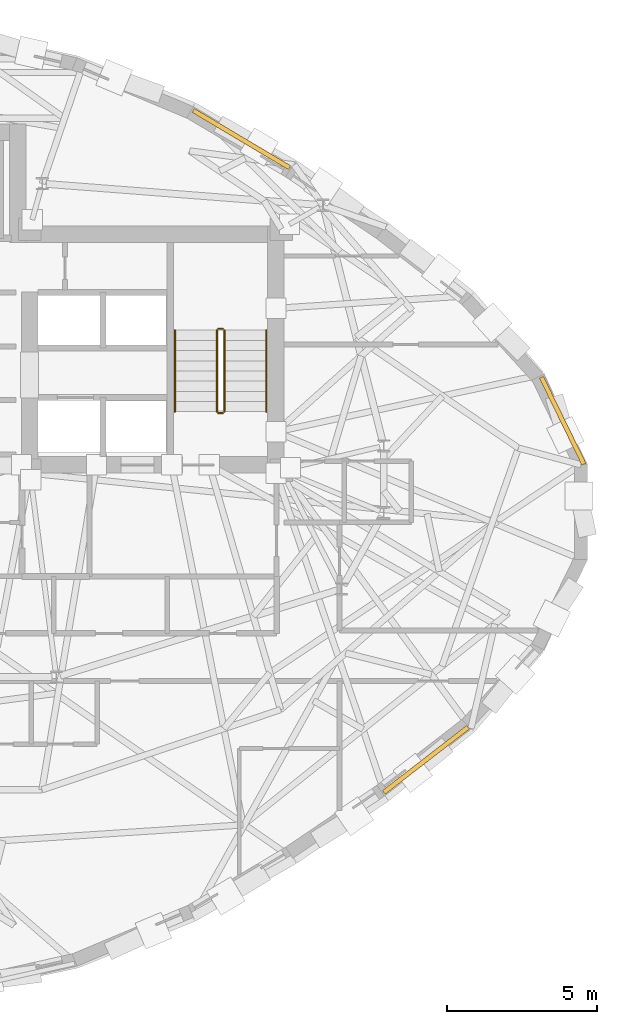
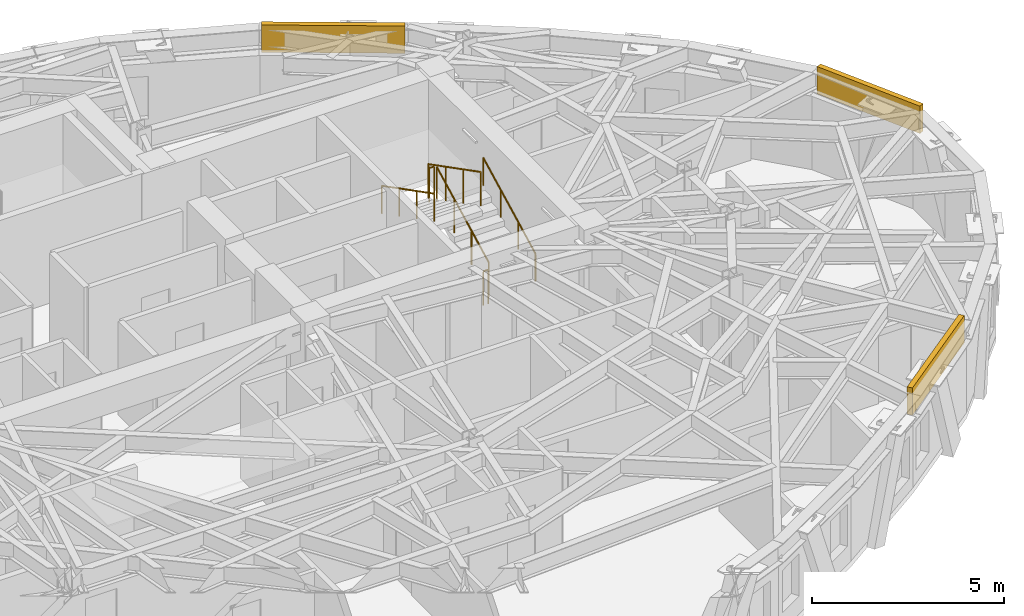
# One storey, part 13 of 13: 6 railings, 3 coverings.
"""IFC4 building model written with IfcOpenShell, lengths in metres."""

from ifc_helpers import new_model, si_unit, direction, frame, origin, origin_2d, place, context, subcontext, project, spatial, rectangle, circle, extrude, material, layer, layer_set, type_object, element, save


model = new_model("IFC4")

# Units and contexts
model_context = context("Model", 3, precision=1e-05, world=origin(), true_north=direction((0.0, 1.0)))
body_context = subcontext(model_context, "Body", "Model", "MODEL_VIEW")
ifc_project = project(units=[si_unit("LENGTHUNIT", "METRE"), si_unit("AREAUNIT", "SQUARE_METRE"), si_unit("VOLUMEUNIT", "CUBIC_METRE"), si_unit("PLANEANGLEUNIT", "RADIAN"), si_unit("MASSUNIT", "GRAM", prefix="KILO")], contexts=[model_context])

# Site, building, storey
site_placement = place(None, origin())
site = spatial("IfcSite", under=ifc_project, at=site_placement, CompositionType="ELEMENT")
building_placement = place(site_placement, origin())
building = spatial("IfcBuilding", under=site, at=building_placement, Name="Keldmark Tower", CompositionType="ELEMENT")
storey_placement = place(building_placement, frame((0.0, 0.0, 210.0)))
storey = spatial("IfcBuildingStorey", under=building, at=storey_placement, Name="L58", CompositionType="ELEMENT", Elevation=210.0)

# Coverings
ifc_material_1 = material(Name="Honed Kasota Buff Dolomitic Limestone", Category="masonry")
ifc_layer = layer(ifc_material_1, 0.074951171875)
ifc_layer_set = layer_set([ifc_layer], Name="Honed Kasota Buff Dolomitic Limestone")
covering_type = type_object("IfcCoveringType", Name="Kasota Buff Limestone Spandrel Cladding Band", PredefinedType="CLADDING", material=ifc_layer_set)
covering_1_placement = place(storey_placement, frame((23.0, 3.04833984375, 2.260009765625), z_axis=(0.0, 0.0, 1.0), x_axis=(-0.439029879399, 0.898472462013, 0.0)))
element("IfcCovering", 1, at=covering_1_placement, inside=storey, type_object=covering_type, Name="L58 Kasota Limestone Spandrel Band 01", PredefinedType="CLADDING", context=body_context, shape_type="SweptSolid", body=[
    extrude(rectangle(XDim=3.22900390625, YDim=0.14990234375, at=origin_2d()), origin(), (0.0, 0.0, 1.0), 0.8701171875),
])
covering_2_placement = place(storey_placement, frame((12.27197265625, 12.454345703125, 2.260009765625), z_axis=(0.0, 0.0, 1.0), x_axis=(-0.859442104398, 0.511233086945, 0.0)))
element("IfcCovering", 2, at=covering_2_placement, inside=storey, type_object=covering_type, Name="L58 Kasota Limestone Spandrel Band 05", PredefinedType="CLADDING", context=body_context, shape_type="SweptSolid", body=[
    extrude(rectangle(XDim=3.744140625, YDim=0.14990234375, at=origin_2d()), origin(), (0.0, 0.0, 1.0), 0.8701171875),
])
covering_3_placement = place(storey_placement, frame((18.434326171875, -8.27490234375, 2.260009765625), z_axis=(0.0, 0.0, 1.0), x_axis=(0.79103137704, 0.611775580208, 0.0)))
element("IfcCovering", 3, at=covering_3_placement, inside=storey, type_object=covering_type, Name="L58 Kasota Limestone Spandrel Band 29", PredefinedType="CLADDING", context=body_context, shape_type="SweptSolid", body=[
    extrude(rectangle(XDim=3.56201171875, YDim=0.14990234375, at=origin_2d()), origin(), (0.0, 0.0, 1.0), 0.8701171875),
])

# Railings
ifc_material_2 = material(Name="Painted Steel ASTM A500 Grade B", Category="steel")
railing_type_1 = type_object("IfcRailingType", Name="Painted Steel Stair Well Guard 1100 mm", PredefinedType="GUARDRAIL", material=ifc_material_2)
railing_1_placement = place(storey_placement, frame((11.699951171875, 3.35009765625, 0.175048828125)))
element("IfcRailing", 4, at=railing_1_placement, inside=storey, type_object=railing_type_1, Name="L58 ST2 stair guard 1", PredefinedType="GUARDRAIL", context=body_context, shape_type="SweptSolid", body=[
    extrude(circle(Radius=0.02392578125, at=origin_2d()), frame((0.0, 0.0, 1.076171875), z_axis=(0.0, 0.889146794209, 0.457622091194), x_axis=(-1.0, 0.0, 0.0)), (0.0, 0.0, 1.0), 3.05908203125),
    extrude(circle(Radius=0.02099609375, at=origin_2d()), origin(), (0.0, 0.0, 1.0), 1.052001953125),
    extrude(circle(Radius=0.02099609375, at=origin_2d()), frame((0.0, 0.90673828125, 0.466552734375)), (0.0, 0.0, 1.0), 1.052001953125),
    extrude(circle(Radius=0.02099609375, at=origin_2d()), frame((0.0, 1.813232421875, 0.933349609375)), (0.0, 0.0, 1.0), 1.052001953125),
    extrude(circle(Radius=0.02099609375, at=origin_2d()), frame((0.0, 2.719970703125, 1.39990234375)), (0.0, 0.0, 1.0), 1.052001953125),
])
railing_2_placement = place(storey_placement, frame((11.64990234375, 6.1201171875, 1.574951171875)))
element("IfcRailing", 5, at=railing_2_placement, inside=storey, type_object=railing_type_1, Name="L58 ST2 stair guard 2", PredefinedType="GUARDRAIL", context=body_context, shape_type="SweptSolid", body=[
    extrude(circle(Radius=0.02392578125, at=origin_2d()), frame((0.0, 0.0, 1.076171875), z_axis=(-1.0, 0.0, 0.0), x_axis=(0.0, -1.0, 0.0)), (0.0, 0.0, 1.0), 0.14990234375),
    extrude(circle(Radius=0.02099609375, at=origin_2d()), origin(), (0.0, 0.0, 1.0), 1.052001953125),
    extrude(circle(Radius=0.02099609375, at=origin_2d()), frame((-0.14990234375, 0.0, 0.0)), (0.0, 0.0, 1.0), 1.052001953125),
])
railing_3_placement = place(storey_placement, frame((11.449951171875, 6.070068359375, 1.75)))
element("IfcRailing", 6, at=railing_3_placement, inside=storey, type_object=railing_type_1, Name="L58 ST2 stair guard 3", PredefinedType="GUARDRAIL", context=body_context, shape_type="SweptSolid", body=[
    extrude(circle(Radius=0.02392578125, at=origin_2d()), frame((0.0, 0.0, 1.076171875), z_axis=(0.0, -0.889146794209, 0.457622091194), x_axis=(1.0, 0.0, 0.0)), (0.0, 0.0, 1.0), 3.05908203125),
    extrude(circle(Radius=0.02099609375, at=origin_2d()), origin(), (0.0, 0.0, 1.0), 1.052001953125),
    extrude(circle(Radius=0.02099609375, at=origin_2d()), frame((0.0, -0.90673828125, 0.466552734375)), (0.0, 0.0, 1.0), 1.052001953125),
    extrude(circle(Radius=0.02099609375, at=origin_2d()), frame((0.0, -1.813232421875, 0.933349609375)), (0.0, 0.0, 1.0), 1.052001953125),
    extrude(circle(Radius=0.02099609375, at=origin_2d()), frame((0.0, -2.719970703125, 1.39990234375)), (0.0, 0.0, 1.0), 1.052001953125),
])
railing_4_placement = place(storey_placement, frame((11.64990234375, 3.300048828125, 0.0)))
element("IfcRailing", 7, at=railing_4_placement, inside=storey, type_object=railing_type_1, Name="L58 ST2 stair guard 4", PredefinedType="GUARDRAIL", context=body_context, shape_type="SweptSolid", body=[
    extrude(circle(Radius=0.02392578125, at=origin_2d()), frame((0.0, 0.0, 1.076171875), z_axis=(-1.0, 0.0, 0.0), x_axis=(0.0, -1.0, 0.0)), (0.0, 0.0, 1.0), 0.14990234375),
    extrude(circle(Radius=0.02099609375, at=origin_2d()), origin(), (0.0, 0.0, 1.0), 1.052001953125),
    extrude(circle(Radius=0.02099609375, at=origin_2d()), frame((-0.14990234375, 0.0, 0.0)), (0.0, 0.0, 1.0), 1.052001953125),
])
ifc_material_3 = material(Name="Stainless Steel AISI 316L", Category="steel")
railing_type_2 = type_object("IfcRailingType", Name="Stainless Steel Stair Handrail 900 mm", PredefinedType="HANDRAIL", material=ifc_material_3)
railing_5_placement = place(storey_placement, frame((13.10009765625, 3.35009765625, 0.175048828125)))
element("IfcRailing", 8, at=railing_5_placement, inside=storey, type_object=railing_type_2, Name="L58 ST2 stair handrail 1", PredefinedType="HANDRAIL", context=body_context, shape_type="SweptSolid", body=[
    extrude(circle(Radius=0.02392578125, at=origin_2d()), frame((0.0, 0.0, 0.8759765625), z_axis=(0.0, 0.889146794209, 0.457622091194), x_axis=(-1.0, 0.0, 0.0)), (0.0, 0.0, 1.0), 3.05908203125),
    extrude(circle(Radius=0.02099609375, at=origin_2d()), origin(), (0.0, 0.0, 1.0), 0.851806640625),
    extrude(circle(Radius=0.02099609375, at=origin_2d()), frame((0.0, 0.90673828125, 0.466552734375)), (0.0, 0.0, 1.0), 0.851806640625),
    extrude(circle(Radius=0.02099609375, at=origin_2d()), frame((0.0, 1.813232421875, 0.933349609375)), (0.0, 0.0, 1.0), 0.851806640625),
    extrude(circle(Radius=0.02099609375, at=origin_2d()), frame((0.0, 2.719970703125, 1.39990234375)), (0.0, 0.0, 1.0), 0.851806640625),
])
railing_6_placement = place(storey_placement, frame((10.050048828125, 6.070068359375, 1.75)))
element("IfcRailing", 9, at=railing_6_placement, inside=storey, type_object=railing_type_2, Name="L58 ST2 stair handrail 2", PredefinedType="HANDRAIL", context=body_context, shape_type="SweptSolid", body=[
    extrude(circle(Radius=0.02392578125, at=origin_2d()), frame((0.0, 0.0, 0.8759765625), z_axis=(0.0, -0.889146794209, 0.457622091194), x_axis=(1.0, 0.0, 0.0)), (0.0, 0.0, 1.0), 3.05908203125),
    extrude(circle(Radius=0.02099609375, at=origin_2d()), origin(), (0.0, 0.0, 1.0), 0.851806640625),
    extrude(circle(Radius=0.02099609375, at=origin_2d()), frame((0.0, -0.90673828125, 0.466552734375)), (0.0, 0.0, 1.0), 0.851806640625),
    extrude(circle(Radius=0.02099609375, at=origin_2d()), frame((0.0, -1.813232421875, 0.933349609375)), (0.0, 0.0, 1.0), 0.851806640625),
    extrude(circle(Radius=0.02099609375, at=origin_2d()), frame((0.0, -2.719970703125, 1.39990234375)), (0.0, 0.0, 1.0), 0.851806640625),
])

save(model, "model.ifc")
